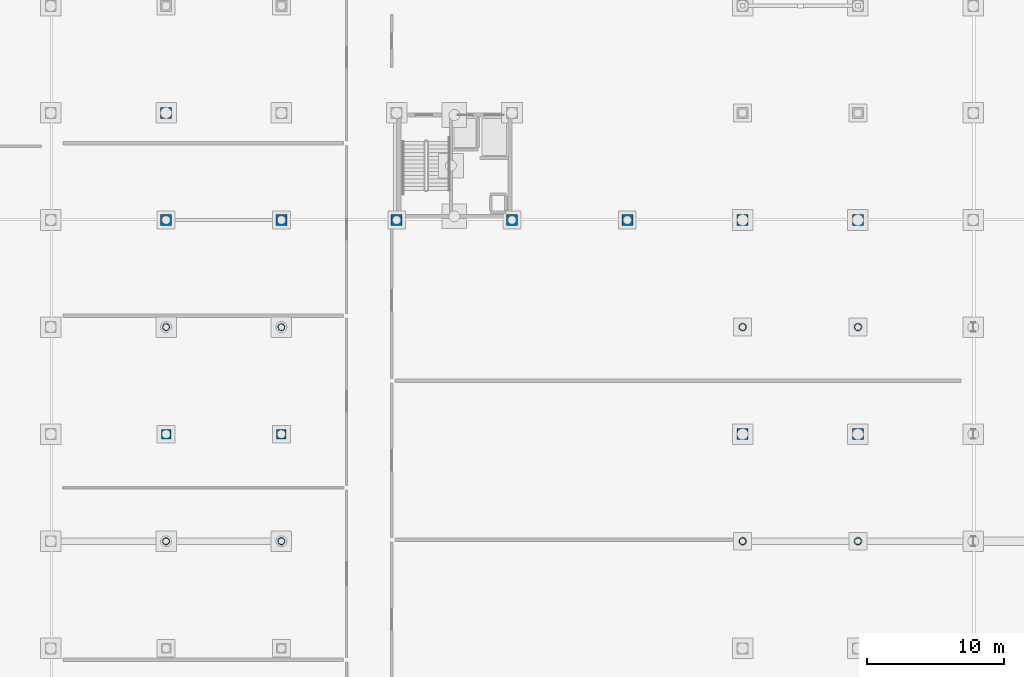
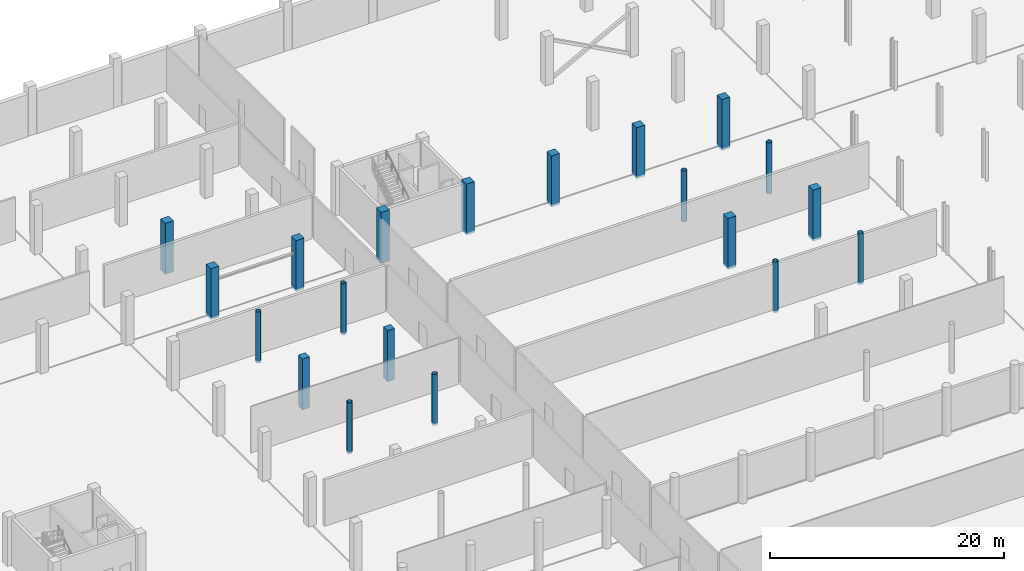
# One storey, part 14 of 48: 20 columns.
"""IFC4 building model written with IfcOpenShell, lengths in metres."""

from ifc_helpers import new_model, si_unit, direction, frame, origin, origin_2d, place, context, subcontext, project, spatial, rectangle, hollow_circle, extrude, material, material_profile, profile_set, type_object, element, save


model = new_model("IFC4")

# Units and contexts
model_context = context("Model", 3, precision=1e-05, world=origin(), true_north=direction((0.0, 1.0)))
body_context = subcontext(model_context, "Body", "Model", "MODEL_VIEW")
ifc_project = project(units=[si_unit("LENGTHUNIT", "METRE"), si_unit("AREAUNIT", "SQUARE_METRE"), si_unit("VOLUMEUNIT", "CUBIC_METRE"), si_unit("PLANEANGLEUNIT", "RADIAN"), si_unit("MASSUNIT", "GRAM", prefix="KILO")], contexts=[model_context])

# Site, building, storey
site_placement = place(None, origin())
site = spatial("IfcSite", under=ifc_project, at=site_placement, CompositionType="ELEMENT")
building_placement = place(site_placement, origin())
building = spatial("IfcBuilding", under=site, at=building_placement, Name="Nabrawat Pavilion Hospital", CompositionType="ELEMENT")
storey_placement = place(building_placement, frame((0.0, 0.0, -5.10009765625)))
storey = spatial("IfcBuildingStorey", under=building, at=storey_placement, Name="B1", CompositionType="ELEMENT", Elevation=-5.10009765625)

# Columns
ifc_material_1 = material(Name="Steel S355", Category="steel")
ifc_material_profile_1 = material_profile(ifc_material_1, hollow_circle(Radius=0.25390625, WallThickness=0.02001953125, at=origin_2d()), Name="CHS 508x20")
ifc_profile_set_1 = profile_set([ifc_material_profile_1], Name="Steel S355")
column_type_1 = type_object("IfcColumnType", Name="Courtyard Bridge Base Column CHS 508x20", PredefinedType="COLUMN", material=ifc_profile_set_1)
for number, where, z_axis, x_axis, name in (
    (1, (75.60009765625, 62.39990234375, -0.219970703125), (0.0, 0.0, 1.0), (1.0, 0.0, 0.0), "B1 Structural Column G-10-J"),
    (2, (75.60009765625, 78.0, -0.219970703125), (0.0, 0.0, 1.0), (1.0, 0.0, 0.0), "B1 Structural Column G-10-L"),
    (3, (109.199951171875, 62.39990234375, -0.219970703125), (0.0, 0.0, 1.0), (1.0, 0.0, 0.0), "B1 Structural Column G-14-J"),
    (4, (109.199951171875, 78.0, -0.219970703125), (0.0, 0.0, 1.0), (1.0, 0.0, 0.0), "B1 Structural Column G-14-L"),
    (5, (117.60009765625, 62.39990234375, -0.219970703125), (0.0, 0.0, 1.0), (1.0, 0.0, 0.0), "B1 Structural Column G-15-J"),
    (6, (117.60009765625, 78.0, -0.219970703125), (0.0, 0.0, 1.0), (1.0, 0.0, 0.0), "B1 Structural Column G-15-L"),
    (7, (67.199951171875, 62.39990234375, -0.219970703125), (0.0, 0.0, 1.0), (1.0, 0.0, 0.0), "B1 Structural Column G-9-J"),
    (8, (67.199951171875, 78.0, -0.219970703125), (0.0, 0.0, 1.0), (1.0, 0.0, 0.0), "B1 Structural Column G-9-L"),
):
    element("IfcColumn", number, at=place(storey_placement, frame(where, z_axis=z_axis, x_axis=x_axis)), inside=storey, type_object=column_type_1, Name=name, PredefinedType="COLUMN", context=body_context, shape_type="SweptSolid", body=[
        extrude(hollow_circle(Radius=0.25390625, WallThickness=0.02001953125, at=origin_2d()), origin(), (0.0, 0.0, 1.0), 5.320068359375),
    ])
ifc_material_2 = material(Name="Concrete C40/50", Category="concrete")
ifc_material_profile_2 = material_profile(ifc_material_2, rectangle(XDim=0.699951171875, YDim=0.699951171875, at=origin_2d()), Name="RC 700x700")
ifc_profile_set_2 = profile_set([ifc_material_profile_2], Name="Concrete C40/50")
column_type_2 = type_object("IfcColumnType", Name="Mid-Tier Ward RC Column 700x700", PredefinedType="COLUMN", material=ifc_profile_set_2)
for number, where, z_axis, x_axis, name in (
    (9, (75.60009765625, 70.199951171875, -0.219970703125), (0.0, 0.0, 1.0), (1.0, 0.0, 0.0), "B1 Structural Column G-10-K"),
    (10, (67.199951171875, 70.199951171875, -0.219970703125), (0.0, 0.0, 1.0), (1.0, 0.0, 0.0), "B1 Structural Column G-9-K"),
):
    element("IfcColumn", number, at=place(storey_placement, frame(where, z_axis=z_axis, x_axis=x_axis)), inside=storey, type_object=column_type_2, Name=name, PredefinedType="COLUMN", context=body_context, shape_type="SweptSolid", body=[
        extrude(rectangle(XDim=0.699951171875, YDim=0.699951171875, at=origin_2d()), origin(), (0.0, 0.0, 1.0), 5.320068359375),
    ])
ifc_material_profile_3 = material_profile(ifc_material_2, rectangle(XDim=0.800048828125, YDim=0.800048828125, at=origin_2d()), Name="RC 800x800")
ifc_profile_set_3 = profile_set([ifc_material_profile_3], Name="Concrete C40/50")
column_type_3 = type_object("IfcColumnType", Name="Podium Primary RC Column 800x800", PredefinedType="COLUMN", material=ifc_profile_set_3)
for number, where, z_axis, x_axis, name in (
    (11, (75.60009765625, 85.800048828125, -0.219970703125), (0.0, 0.0, 1.0), (1.0, 0.0, 0.0), "B1 Structural Column G-10-M1"),
    (12, (84.0, 85.800048828125, -0.219970703125), (0.0, 0.0, 1.0), (1.0, 0.0, 0.0), "B1 Structural Column G-11-M1"),
    (13, (92.39990234375, 85.800048828125, -0.219970703125), (0.0, 0.0, 1.0), (1.0, 0.0, 0.0), "B1 Structural Column G-12-M1"),
    (14, (100.800048828125, 85.800048828125, -0.219970703125), (0.0, 0.0, 1.0), (1.0, 0.0, 0.0), "B1 Structural Column G-13-M1"),
    (15, (109.199951171875, 70.199951171875, -0.219970703125), (0.0, 0.0, 1.0), (1.0, 0.0, 0.0), "B1 Structural Column G-14-K"),
    (16, (109.199951171875, 85.800048828125, -0.219970703125), (0.0, 0.0, 1.0), (1.0, 0.0, 0.0), "B1 Structural Column G-14-M1"),
    (17, (117.60009765625, 70.199951171875, -0.219970703125), (0.0, 0.0, 1.0), (1.0, 0.0, 0.0), "B1 Structural Column G-15-K"),
    (18, (117.60009765625, 85.800048828125, -0.219970703125), (0.0, 0.0, 1.0), (1.0, 0.0, 0.0), "B1 Structural Column G-15-M1"),
    (19, (67.199951171875, 85.800048828125, -0.219970703125), (0.0, 0.0, 1.0), (1.0, 0.0, 0.0), "B1 Structural Column G-9-M1"),
    (20, (67.199951171875, 93.60009765625, -0.219970703125), (0.0, 0.0, 1.0), (1.0, 0.0, 0.0), "B1 Structural Column G-9-N"),
):
    element("IfcColumn", number, at=place(storey_placement, frame(where, z_axis=z_axis, x_axis=x_axis)), inside=storey, type_object=column_type_3, Name=name, PredefinedType="COLUMN", context=body_context, shape_type="SweptSolid", body=[
        extrude(rectangle(XDim=0.800048828125, YDim=0.800048828125, at=origin_2d()), origin(), (0.0, 0.0, 1.0), 5.320068359375),
    ])

save(model, "model.ifc")
